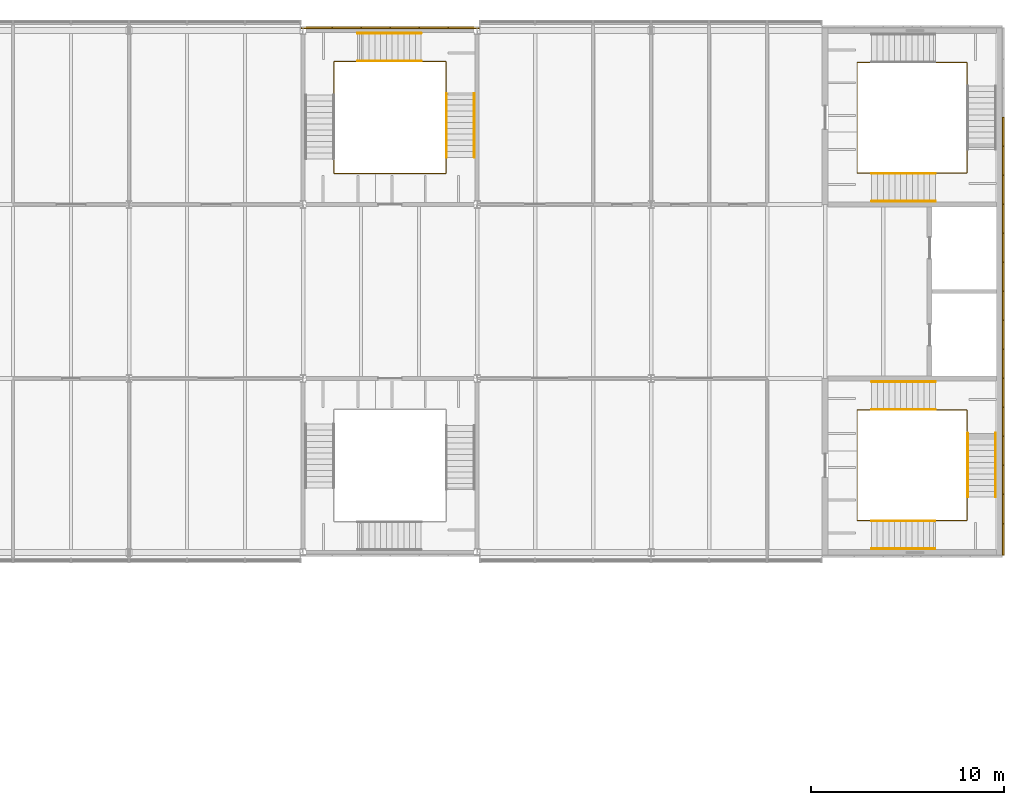
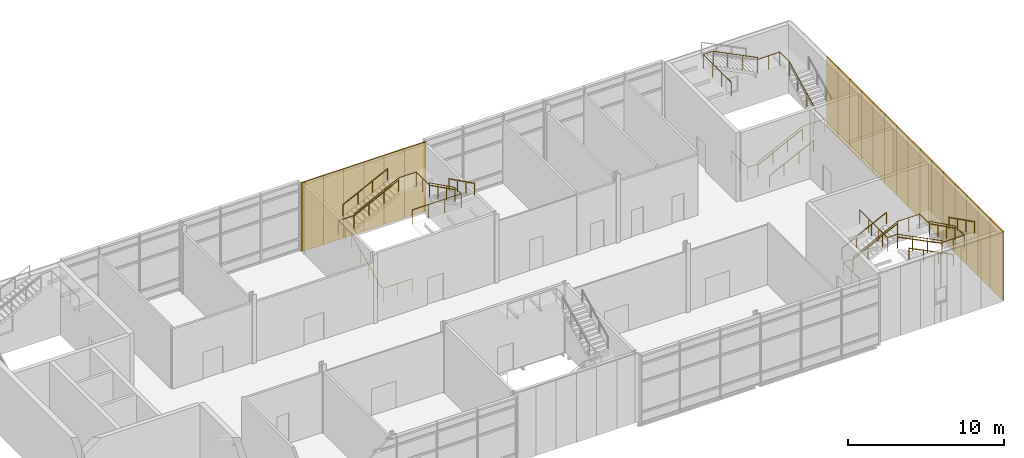
# One storey, part 55 of 56: 21 coverings, 15 railings.
"""IFC4 building model written with IfcOpenShell, lengths in metres."""

from ifc_helpers import new_model, si_unit, direction, frame, origin, origin_2d, place, context, subcontext, project, spatial, rectangle, circle, extrude, material, layer, layer_set, type_object, element, save


model = new_model("IFC4")

# Units and contexts
model_context = context("Model", 3, precision=1e-05, world=origin(), true_north=direction((0.0, 1.0)))
body_context = subcontext(model_context, "Body", "Model", "MODEL_VIEW")
ifc_project = project(units=[si_unit("LENGTHUNIT", "METRE"), si_unit("AREAUNIT", "SQUARE_METRE"), si_unit("VOLUMEUNIT", "CUBIC_METRE"), si_unit("PLANEANGLEUNIT", "RADIAN"), si_unit("MASSUNIT", "GRAM", prefix="KILO")], contexts=[model_context])

# Site, building, storey
site_placement = place(None, origin())
site = spatial("IfcSite", under=ifc_project, at=site_placement, CompositionType="ELEMENT")
building_placement = place(site_placement, origin())
building = spatial("IfcBuilding", under=site, at=building_placement, Name="Azimuth Sports and Learning Centre", CompositionType="ELEMENT")
storey_placement = place(building_placement, frame((0.0, 0.0, 5.39990234375)))
storey = spatial("IfcBuildingStorey", under=building, at=storey_placement, Name="L01", CompositionType="ELEMENT", Elevation=5.39990234375)

# Coverings
ifc_material_1 = material(Name="Cladding panel")
ifc_layer = layer(ifc_material_1, 0.10009765625)
ifc_layer_set = layer_set([ifc_layer], Name="Cladding panel")
covering_type = type_object("IfcCoveringType", Name="Cladding panel 100", PredefinedType="CLADDING", material=ifc_layer_set)
covering_1_placement = place(storey_placement, frame((171.199951171875, 90.675048828125, 0.000244140625), z_axis=(0.0, 0.0, 1.0), x_axis=(0.0, 1.0, 0.0)))
element("IfcCovering", 1, at=covering_1_placement, inside=storey, type_object=covering_type, Name="Cladding panel E-END E L01 1", PredefinedType="CLADDING", context=body_context, shape_type="SweptSolid", body=[
    extrude(rectangle(XDim=1.64990234375, YDim=0.10009765625, at=origin_2d()), origin(), (0.0, 0.0, 1.0), 5.39990234375),
])
for number, where, z_axis, x_axis, name in (
    (2, (171.199951171875, 92.25, 0.000244140625), (0.0, 0.0, 1.0), (0.0, 1.0, 0.0), "Cladding panel E-END E L01 2"),
    (3, (171.199951171875, 93.75, 0.000244140625), (0.0, 0.0, 1.0), (0.0, 1.0, 0.0), "Cladding panel E-END E L01 3"),
    (4, (171.199951171875, 95.25, 0.000244140625), (0.0, 0.0, 1.0), (0.0, 1.0, 0.0), "Cladding panel E-END E L01 4"),
    (5, (171.199951171875, 96.75, 0.000244140625), (0.0, 0.0, 1.0), (0.0, 1.0, 0.0), "Cladding panel E-END E L01 5"),
    (6, (171.199951171875, 98.25, 0.000244140625), (0.0, 0.0, 1.0), (0.0, 1.0, 0.0), "Cladding panel E-END E L01 6"),
    (7, (171.199951171875, 99.75, 0.000244140625), (0.0, 0.0, 1.0), (0.0, 1.0, 0.0), "Cladding panel E-END E L01 7"),
    (8, (171.199951171875, 101.25, 0.000244140625), (0.0, 0.0, 1.0), (0.0, 1.0, 0.0), "Cladding panel E-END E L01 8"),
    (9, (171.199951171875, 102.75, 0.000244140625), (0.0, 0.0, 1.0), (0.0, 1.0, 0.0), "Cladding panel E-END E L01 9"),
    (10, (171.199951171875, 104.25, 0.000244140625), (0.0, 0.0, 1.0), (0.0, 1.0, 0.0), "Cladding panel E-END E L01 10"),
    (11, (171.199951171875, 105.75, 0.000244140625), (0.0, 0.0, 1.0), (0.0, 1.0, 0.0), "Cladding panel E-END E L01 11"),
    (12, (171.199951171875, 107.25, 0.000244140625), (0.0, 0.0, 1.0), (0.0, 1.0, 0.0), "Cladding panel E-END E L01 12"),
    (13, (171.199951171875, 108.75, 0.000244140625), (0.0, 0.0, 1.0), (0.0, 1.0, 0.0), "Cladding panel E-END E L01 13"),
    (14, (171.199951171875, 110.25, 0.000244140625), (0.0, 0.0, 1.0), (0.0, 1.0, 0.0), "Cladding panel E-END E L01 14"),
    (15, (171.199951171875, 111.75, 0.000244140625), (0.0, 0.0, 1.0), (0.0, 1.0, 0.0), "Cladding panel E-END E L01 15"),
):
    element("IfcCovering", number, at=place(storey_placement, frame(where, z_axis=z_axis, x_axis=x_axis)), inside=storey, type_object=covering_type, Name=name, PredefinedType="CLADDING", context=body_context, shape_type="SweptSolid", body=[
        extrude(rectangle(XDim=1.5, YDim=0.10009765625, at=origin_2d()), origin(), (0.0, 0.0, 1.0), 5.39990234375),
    ])
covering_2_placement = place(storey_placement, frame((143.300048828125, 117.14990234375, 0.000244140625), z_axis=(0.0, 0.0, 1.0), x_axis=(-1.0, 0.0, 0.0)))
element("IfcCovering", 16, at=covering_2_placement, inside=storey, type_object=covering_type, Name="Cladding panel N-EM2 L01 1", PredefinedType="CLADDING", context=body_context, shape_type="SweptSolid", body=[
    extrude(rectangle(XDim=1.60009765625, YDim=0.10009765625, at=origin_2d()), origin(), (0.0, 0.0, 1.0), 5.39990234375),
])
for number, where, z_axis, x_axis, name in (
    (17, (141.75, 117.14990234375, 0.000244140625), (0.0, 0.0, 1.0), (-1.0, 0.0, 0.0), "Cladding panel N-EM2 L01 2"),
    (18, (140.25, 117.14990234375, 0.000244140625), (0.0, 0.0, 1.0), (-1.0, 0.0, 0.0), "Cladding panel N-EM2 L01 3"),
    (19, (138.75, 117.14990234375, 0.000244140625), (0.0, 0.0, 1.0), (-1.0, 0.0, 0.0), "Cladding panel N-EM2 L01 4"),
    (20, (137.25, 117.14990234375, 0.000244140625), (0.0, 0.0, 1.0), (-1.0, 0.0, 0.0), "Cladding panel N-EM2 L01 5"),
):
    element("IfcCovering", number, at=place(storey_placement, frame(where, z_axis=z_axis, x_axis=x_axis)), inside=storey, type_object=covering_type, Name=name, PredefinedType="CLADDING", context=body_context, shape_type="SweptSolid", body=[
        extrude(rectangle(XDim=1.5, YDim=0.10009765625, at=origin_2d()), origin(), (0.0, 0.0, 1.0), 5.39990234375),
    ])
covering_3_placement = place(storey_placement, frame((135.699951171875, 117.14990234375, 0.000244140625), z_axis=(0.0, 0.0, 1.0), x_axis=(-1.0, 0.0, 0.0)))
element("IfcCovering", 21, at=covering_3_placement, inside=storey, type_object=covering_type, Name="Cladding panel N-EM2 L01 6", PredefinedType="CLADDING", context=body_context, shape_type="SweptSolid", body=[
    extrude(rectangle(XDim=1.60009765625, YDim=0.10009765625, at=origin_2d()), origin(), (0.0, 0.0, 1.0), 5.39990234375),
])

# Railings
ifc_material_2 = material(Name="Stainless steel", Category="steel")
railing_type_1 = type_object("IfcRailingType", Name="Stair guard 1100", PredefinedType="GUARDRAIL", material=ifc_material_2)
railing_1_placement = place(storey_placement, frame((163.659912109375, 95.25, 0.0)))
element("IfcRailing", 22, at=railing_1_placement, inside=storey, type_object=railing_type_1, Name="Guard EW1 L01 well", PredefinedType="GUARDRAIL", context=body_context, shape_type="SweptSolid", body=[
    extrude(circle(Radius=0.02392578125, at=origin_2d()), frame((0.0, 0.0, 1.076171875), z_axis=(0.0, 1.0, 0.0), x_axis=(-1.0, 0.0, 0.0)), (0.0, 0.0, 1.0), 2.114990234375),
    extrude(circle(Radius=0.02392578125, at=origin_2d()), frame((0.0, 2.114990234375, 1.076171875), z_axis=(1.0, 0.0, 0.0), x_axis=(0.0, 1.0, 0.0)), (0.0, 0.0, 1.0), 0.75),
    extrude(circle(Radius=0.02392578125, at=origin_2d()), frame((0.75, 2.114990234375, 1.076171875), z_axis=(0.0, 0.0, 1.0), x_axis=(1.0, 0.0, 0.0)), (0.0, 0.0, 1.0), 0.150146484375),
    extrude(circle(Radius=0.02392578125, at=origin_2d()), frame((0.75, 2.114990234375, 1.22607421875), z_axis=(0.894440424912, 0.0, 0.447187126696), x_axis=(0.0, 1.0, 0.0)), (0.0, 0.0, 1.0), 3.689453125),
    extrude(circle(Radius=0.02392578125, at=origin_2d()), frame((4.050048828125, 2.114990234375, 2.8759765625), z_axis=(1.0, 0.0, 0.0), x_axis=(0.0, 1.0, 0.0)), (0.0, 0.0, 1.0), 1.630126953125),
    extrude(circle(Radius=0.02392578125, at=origin_2d()), frame((5.68017578125, 2.114990234375, 2.8759765625), z_axis=(0.0, -1.0, 0.0), x_axis=(1.0, 0.0, 0.0)), (0.0, 0.0, 1.0), 1.199951171875),
    extrude(circle(Radius=0.02392578125, at=origin_2d()), frame((5.68017578125, 0.9150390625, 2.8759765625), z_axis=(0.0, 0.0, 1.0), x_axis=(1.0, 0.0, 0.0)), (0.0, 0.0, 1.0), 0.150146484375),
    extrude(circle(Radius=0.02392578125, at=origin_2d()), frame((5.68017578125, 0.9150390625, 3.0263671875), z_axis=(0.0, -0.894440424912, 0.447187126696), x_axis=(1.0, 0.0, 0.0)), (0.0, 0.0, 1.0), 3.689453125),
    extrude(circle(Radius=0.02392578125, at=origin_2d()), frame((5.68017578125, -2.385009765625, 4.67626953125), z_axis=(0.0, -1.0, 0.0), x_axis=(1.0, 0.0, 0.0)), (0.0, 0.0, 1.0), 1.205078125),
    extrude(circle(Radius=0.02392578125, at=origin_2d()), frame((5.68017578125, -3.590087890625, 4.67626953125), z_axis=(-1.0, 0.0, 0.0), x_axis=(0.0, -1.0, 0.0)), (0.0, 0.0, 1.0), 1.650146484375),
    extrude(circle(Radius=0.02392578125, at=origin_2d()), frame((4.030029296875, -3.590087890625, 4.67626953125), z_axis=(0.0, 0.0, 1.0), x_axis=(1.0, 0.0, 0.0)), (0.0, 0.0, 1.0), 0.14990234375),
    extrude(circle(Radius=0.02392578125, at=origin_2d()), frame((4.030029296875, -3.590087890625, 4.826171875), z_axis=(-0.894413956696, 0.0, 0.447240063129), x_axis=(0.0, -1.0, 0.0)), (0.0, 0.0, 1.0), 3.689697265625),
    extrude(circle(Radius=0.02392578125, at=origin_2d()), frame((0.72998046875, -3.590087890625, 6.47607421875), z_axis=(-1.0, 0.0, 0.0), x_axis=(0.0, -1.0, 0.0)), (0.0, 0.0, 1.0), 0.72998046875),
    extrude(circle(Radius=0.02392578125, at=origin_2d()), frame((0.0, -3.590087890625, 6.47607421875), z_axis=(0.0, 1.0, 0.0), x_axis=(-1.0, 0.0, 0.0)), (0.0, 0.0, 1.0), 3.590087890625),
    extrude(circle(Radius=0.01611328125, at=origin_2d()), origin(), (0.0, 0.0, 1.0), 1.052001953125),
    extrude(circle(Radius=0.01611328125, at=origin_2d()), frame((0.0, 1.0576171875, 0.0)), (0.0, 0.0, 1.0), 1.052001953125),
    extrude(circle(Radius=0.01611328125, at=origin_2d()), frame((0.0, 2.114990234375, 0.0)), (0.0, 0.0, 1.0), 1.052001953125),
    extrude(circle(Radius=0.01611328125, at=origin_2d()), frame((0.75, 2.114990234375, 0.0)), (0.0, 0.0, 1.0), 1.052001953125),
    extrude(circle(Radius=0.01611328125, at=origin_2d()), frame((0.75, 2.114990234375, 0.150146484375)), (0.0, 0.0, 1.0), 1.052001953125),
    extrude(circle(Radius=0.01611328125, at=origin_2d()), frame((1.85009765625, 2.114990234375, 0.7001953125)), (0.0, 0.0, 1.0), 1.052001953125),
    extrude(circle(Radius=0.01611328125, at=origin_2d()), frame((2.949951171875, 2.114990234375, 1.25)), (0.0, 0.0, 1.0), 1.052001953125),
    extrude(circle(Radius=0.01611328125, at=origin_2d()), frame((4.050048828125, 2.114990234375, 1.800048828125)), (0.0, 0.0, 1.0), 1.052001953125),
    extrude(circle(Radius=0.01611328125, at=origin_2d()), frame((4.865234375, 2.114990234375, 1.800048828125)), (0.0, 0.0, 1.0), 1.052001953125),
    extrude(circle(Radius=0.01611328125, at=origin_2d()), frame((5.68017578125, 2.114990234375, 1.800048828125)), (0.0, 0.0, 1.0), 1.052001953125),
    extrude(circle(Radius=0.01611328125, at=origin_2d()), frame((5.68017578125, 0.9150390625, 1.800048828125)), (0.0, 0.0, 1.0), 1.052001953125),
    extrude(circle(Radius=0.01611328125, at=origin_2d()), frame((5.68017578125, 0.9150390625, 1.9501953125)), (0.0, 0.0, 1.0), 1.052001953125),
    extrude(circle(Radius=0.01611328125, at=origin_2d()), frame((5.68017578125, -0.18505859375, 2.500244140625)), (0.0, 0.0, 1.0), 1.052001953125),
    extrude(circle(Radius=0.01611328125, at=origin_2d()), frame((5.68017578125, -1.284912109375, 3.050048828125)), (0.0, 0.0, 1.0), 1.052001953125),
    extrude(circle(Radius=0.01611328125, at=origin_2d()), frame((5.68017578125, -2.385009765625, 3.60009765625)), (0.0, 0.0, 1.0), 1.052001953125),
    extrude(circle(Radius=0.01611328125, at=origin_2d()), frame((5.68017578125, -3.590087890625, 3.60009765625)), (0.0, 0.0, 1.0), 1.052001953125),
    extrude(circle(Radius=0.01611328125, at=origin_2d()), frame((4.85498046875, -3.590087890625, 3.60009765625)), (0.0, 0.0, 1.0), 1.052001953125),
    extrude(circle(Radius=0.01611328125, at=origin_2d()), frame((4.030029296875, -3.590087890625, 3.60009765625)), (0.0, 0.0, 1.0), 1.052001953125),
    extrude(circle(Radius=0.01611328125, at=origin_2d()), frame((4.030029296875, -3.590087890625, 3.75)), (0.0, 0.0, 1.0), 1.052001953125),
    extrude(circle(Radius=0.01611328125, at=origin_2d()), frame((2.929931640625, -3.590087890625, 4.300048828125)), (0.0, 0.0, 1.0), 1.052001953125),
    extrude(circle(Radius=0.01611328125, at=origin_2d()), frame((1.830078125, -3.590087890625, 4.85009765625)), (0.0, 0.0, 1.0), 1.052001953125),
    extrude(circle(Radius=0.01611328125, at=origin_2d()), frame((0.72998046875, -3.590087890625, 5.400146484375)), (0.0, 0.0, 1.0), 1.052001953125),
    extrude(circle(Radius=0.01611328125, at=origin_2d()), frame((0.0, -3.590087890625, 5.400146484375)), (0.0, 0.0, 1.0), 1.052001953125),
    extrude(circle(Radius=0.01611328125, at=origin_2d()), frame((0.0, -2.393310546875, 5.400146484375)), (0.0, 0.0, 1.0), 1.052001953125),
    extrude(circle(Radius=0.01611328125, at=origin_2d()), frame((0.0, -1.19677734375, 5.400146484375)), (0.0, 0.0, 1.0), 1.052001953125),
    extrude(circle(Radius=0.01611328125, at=origin_2d()), frame((0.0, 0.0, 5.400146484375)), (0.0, 0.0, 1.0), 1.052001953125),
])
railing_2_placement = place(storey_placement, frame((163.659912109375, 111.75, 0.0)))
element("IfcRailing", 23, at=railing_2_placement, inside=storey, type_object=railing_type_1, Name="Guard EW2 L01 well", PredefinedType="GUARDRAIL", context=body_context, shape_type="SweptSolid", body=[
    extrude(circle(Radius=0.02392578125, at=origin_2d()), frame((0.0, 0.0, 1.076171875), z_axis=(0.0, -1.0, 0.0), x_axis=(1.0, 0.0, 0.0)), (0.0, 0.0, 1.0), 2.114990234375),
    extrude(circle(Radius=0.02392578125, at=origin_2d()), frame((0.0, -2.114990234375, 1.076171875), z_axis=(1.0, 0.0, 0.0), x_axis=(0.0, 1.0, 0.0)), (0.0, 0.0, 1.0), 0.75),
    extrude(circle(Radius=0.02392578125, at=origin_2d()), frame((0.75, -2.114990234375, 1.076171875), z_axis=(0.0, 0.0, 1.0), x_axis=(1.0, 0.0, 0.0)), (0.0, 0.0, 1.0), 0.150146484375),
    extrude(circle(Radius=0.02392578125, at=origin_2d()), frame((0.75, -2.114990234375, 1.22607421875), z_axis=(0.894440424912, 0.0, 0.447187126696), x_axis=(0.0, 1.0, 0.0)), (0.0, 0.0, 1.0), 3.689453125),
    extrude(circle(Radius=0.02392578125, at=origin_2d()), frame((4.050048828125, -2.114990234375, 2.8759765625), z_axis=(1.0, 0.0, 0.0), x_axis=(0.0, 1.0, 0.0)), (0.0, 0.0, 1.0), 1.630126953125),
    extrude(circle(Radius=0.02392578125, at=origin_2d()), frame((5.68017578125, -2.114990234375, 2.8759765625), z_axis=(0.0, 1.0, 0.0), x_axis=(-1.0, 0.0, 0.0)), (0.0, 0.0, 1.0), 1.199951171875),
    extrude(circle(Radius=0.02392578125, at=origin_2d()), frame((5.68017578125, -0.9150390625, 2.8759765625), z_axis=(0.0, 0.0, 1.0), x_axis=(1.0, 0.0, 0.0)), (0.0, 0.0, 1.0), 0.150146484375),
    extrude(circle(Radius=0.02392578125, at=origin_2d()), frame((5.68017578125, -0.9150390625, 3.0263671875), z_axis=(0.0, 0.894440424912, 0.447187126696), x_axis=(-1.0, 0.0, 0.0)), (0.0, 0.0, 1.0), 3.689453125),
    extrude(circle(Radius=0.02392578125, at=origin_2d()), frame((5.68017578125, 2.385009765625, 4.67626953125), z_axis=(0.0, 1.0, 0.0), x_axis=(-1.0, 0.0, 0.0)), (0.0, 0.0, 1.0), 1.205078125),
    extrude(circle(Radius=0.02392578125, at=origin_2d()), frame((5.68017578125, 3.590087890625, 4.67626953125), z_axis=(-1.0, 0.0, 0.0), x_axis=(0.0, -1.0, 0.0)), (0.0, 0.0, 1.0), 1.650146484375),
    extrude(circle(Radius=0.02392578125, at=origin_2d()), frame((4.030029296875, 3.590087890625, 4.67626953125), z_axis=(0.0, 0.0, 1.0), x_axis=(1.0, 0.0, 0.0)), (0.0, 0.0, 1.0), 0.14990234375),
    extrude(circle(Radius=0.02392578125, at=origin_2d()), frame((4.030029296875, 3.590087890625, 4.826171875), z_axis=(-0.894413956696, 0.0, 0.447240063129), x_axis=(0.0, -1.0, 0.0)), (0.0, 0.0, 1.0), 3.689697265625),
    extrude(circle(Radius=0.02392578125, at=origin_2d()), frame((0.72998046875, 3.590087890625, 6.47607421875), z_axis=(-1.0, 0.0, 0.0), x_axis=(0.0, -1.0, 0.0)), (0.0, 0.0, 1.0), 0.72998046875),
    extrude(circle(Radius=0.02392578125, at=origin_2d()), frame((0.0, 3.590087890625, 6.47607421875), z_axis=(0.0, -1.0, 0.0), x_axis=(1.0, 0.0, 0.0)), (0.0, 0.0, 1.0), 3.590087890625),
    extrude(circle(Radius=0.01611328125, at=origin_2d()), origin(), (0.0, 0.0, 1.0), 1.052001953125),
    extrude(circle(Radius=0.01611328125, at=origin_2d()), frame((0.0, -1.0576171875, 0.0)), (0.0, 0.0, 1.0), 1.052001953125),
    extrude(circle(Radius=0.01611328125, at=origin_2d()), frame((0.0, -2.114990234375, 0.0)), (0.0, 0.0, 1.0), 1.052001953125),
    extrude(circle(Radius=0.01611328125, at=origin_2d()), frame((0.75, -2.114990234375, 0.0)), (0.0, 0.0, 1.0), 1.052001953125),
    extrude(circle(Radius=0.01611328125, at=origin_2d()), frame((0.75, -2.114990234375, 0.150146484375)), (0.0, 0.0, 1.0), 1.052001953125),
    extrude(circle(Radius=0.01611328125, at=origin_2d()), frame((1.85009765625, -2.114990234375, 0.7001953125)), (0.0, 0.0, 1.0), 1.052001953125),
    extrude(circle(Radius=0.01611328125, at=origin_2d()), frame((2.949951171875, -2.114990234375, 1.25)), (0.0, 0.0, 1.0), 1.052001953125),
    extrude(circle(Radius=0.01611328125, at=origin_2d()), frame((4.050048828125, -2.114990234375, 1.800048828125)), (0.0, 0.0, 1.0), 1.052001953125),
    extrude(circle(Radius=0.01611328125, at=origin_2d()), frame((4.865234375, -2.114990234375, 1.800048828125)), (0.0, 0.0, 1.0), 1.052001953125),
    extrude(circle(Radius=0.01611328125, at=origin_2d()), frame((5.68017578125, -2.114990234375, 1.800048828125)), (0.0, 0.0, 1.0), 1.052001953125),
    extrude(circle(Radius=0.01611328125, at=origin_2d()), frame((5.68017578125, -0.9150390625, 1.800048828125)), (0.0, 0.0, 1.0), 1.052001953125),
    extrude(circle(Radius=0.01611328125, at=origin_2d()), frame((5.68017578125, -0.9150390625, 1.9501953125)), (0.0, 0.0, 1.0), 1.052001953125),
    extrude(circle(Radius=0.01611328125, at=origin_2d()), frame((5.68017578125, 0.18505859375, 2.500244140625)), (0.0, 0.0, 1.0), 1.052001953125),
    extrude(circle(Radius=0.01611328125, at=origin_2d()), frame((5.68017578125, 1.284912109375, 3.050048828125)), (0.0, 0.0, 1.0), 1.052001953125),
    extrude(circle(Radius=0.01611328125, at=origin_2d()), frame((5.68017578125, 2.385009765625, 3.60009765625)), (0.0, 0.0, 1.0), 1.052001953125),
    extrude(circle(Radius=0.01611328125, at=origin_2d()), frame((5.68017578125, 3.590087890625, 3.60009765625)), (0.0, 0.0, 1.0), 1.052001953125),
    extrude(circle(Radius=0.01611328125, at=origin_2d()), frame((4.85498046875, 3.590087890625, 3.60009765625)), (0.0, 0.0, 1.0), 1.052001953125),
    extrude(circle(Radius=0.01611328125, at=origin_2d()), frame((4.030029296875, 3.590087890625, 3.60009765625)), (0.0, 0.0, 1.0), 1.052001953125),
    extrude(circle(Radius=0.01611328125, at=origin_2d()), frame((4.030029296875, 3.590087890625, 3.75)), (0.0, 0.0, 1.0), 1.052001953125),
    extrude(circle(Radius=0.01611328125, at=origin_2d()), frame((2.929931640625, 3.590087890625, 4.300048828125)), (0.0, 0.0, 1.0), 1.052001953125),
    extrude(circle(Radius=0.01611328125, at=origin_2d()), frame((1.830078125, 3.590087890625, 4.85009765625)), (0.0, 0.0, 1.0), 1.052001953125),
    extrude(circle(Radius=0.01611328125, at=origin_2d()), frame((0.72998046875, 3.590087890625, 5.400146484375)), (0.0, 0.0, 1.0), 1.052001953125),
    extrude(circle(Radius=0.01611328125, at=origin_2d()), frame((0.0, 3.590087890625, 5.400146484375)), (0.0, 0.0, 1.0), 1.052001953125),
    extrude(circle(Radius=0.01611328125, at=origin_2d()), frame((0.0, 2.393310546875, 5.400146484375)), (0.0, 0.0, 1.0), 1.052001953125),
    extrude(circle(Radius=0.01611328125, at=origin_2d()), frame((0.0, 1.19677734375, 5.400146484375)), (0.0, 0.0, 1.0), 1.052001953125),
    extrude(circle(Radius=0.01611328125, at=origin_2d()), frame((0.0, 0.0, 5.400146484375)), (0.0, 0.0, 1.0), 1.052001953125),
])
railing_3_placement = place(storey_placement, frame((138.75, 109.610107421875, 0.0)))
element("IfcRailing", 24, at=railing_3_placement, inside=storey, type_object=railing_type_1, Name="Guard EM2 L01 well", PredefinedType="GUARDRAIL", context=body_context, shape_type="SweptSolid", body=[
    extrude(circle(Radius=0.02392578125, at=origin_2d()), frame((0.0, 0.0, 1.076171875), z_axis=(-1.0, 0.0, 0.0), x_axis=(0.0, -1.0, 0.0)), (0.0, 0.0, 1.0), 2.139892578125),
    extrude(circle(Radius=0.02392578125, at=origin_2d()), frame((-2.139892578125, 0.0, 1.076171875), z_axis=(0.0, 1.0, 0.0), x_axis=(-1.0, 0.0, 0.0)), (0.0, 0.0, 1.0), 0.75),
    extrude(circle(Radius=0.02392578125, at=origin_2d()), frame((-2.139892578125, 0.75, 1.076171875), z_axis=(0.0, 0.0, 1.0), x_axis=(1.0, 0.0, 0.0)), (0.0, 0.0, 1.0), 0.150146484375),
    extrude(circle(Radius=0.02392578125, at=origin_2d()), frame((-2.139892578125, 0.75, 1.22607421875), z_axis=(0.0, 0.894427191, 0.4472135955), x_axis=(-1.0, 0.0, 0.0)), (0.0, 0.0, 1.0), 3.689208984375),
    extrude(circle(Radius=0.02392578125, at=origin_2d()), frame((-2.139892578125, 4.0498046875, 2.8759765625), z_axis=(0.0, 1.0, 0.0), x_axis=(-1.0, 0.0, 0.0)), (0.0, 0.0, 1.0), 1.72998046875),
    extrude(circle(Radius=0.02392578125, at=origin_2d()), frame((-2.139892578125, 5.77978515625, 2.8759765625), z_axis=(1.0, 0.0, 0.0), x_axis=(0.0, 1.0, 0.0)), (0.0, 0.0, 1.0), 1.199951171875),
    extrude(circle(Radius=0.02392578125, at=origin_2d()), frame((-0.93994140625, 5.77978515625, 2.8759765625), z_axis=(0.0, 0.0, 1.0), x_axis=(1.0, 0.0, 0.0)), (0.0, 0.0, 1.0), 0.150146484375),
    extrude(circle(Radius=0.02392578125, at=origin_2d()), frame((-0.93994140625, 5.77978515625, 3.0263671875), z_axis=(0.894440424912, 0.0, 0.447187126696), x_axis=(0.0, 1.0, 0.0)), (0.0, 0.0, 1.0), 3.689453125),
    extrude(circle(Radius=0.02392578125, at=origin_2d()), frame((2.360107421875, 5.77978515625, 4.67626953125), z_axis=(1.0, 0.0, 0.0), x_axis=(0.0, 1.0, 0.0)), (0.0, 0.0, 1.0), 1.27978515625),
    extrude(circle(Radius=0.02392578125, at=origin_2d()), frame((3.639892578125, 5.77978515625, 4.67626953125), z_axis=(0.0, -1.0, 0.0), x_axis=(1.0, 0.0, 0.0)), (0.0, 0.0, 1.0), 1.64990234375),
    extrude(circle(Radius=0.02392578125, at=origin_2d()), frame((3.639892578125, 4.1298828125, 4.67626953125), z_axis=(0.0, 0.0, 1.0), x_axis=(1.0, 0.0, 0.0)), (0.0, 0.0, 1.0), 0.14990234375),
    extrude(circle(Radius=0.02392578125, at=origin_2d()), frame((3.639892578125, 4.1298828125, 4.826171875), z_axis=(0.0, -0.894413956696, 0.447240063129), x_axis=(1.0, 0.0, 0.0)), (0.0, 0.0, 1.0), 3.689697265625),
    extrude(circle(Radius=0.02392578125, at=origin_2d()), frame((3.639892578125, 0.829833984375, 6.47607421875), z_axis=(0.0, -1.0, 0.0), x_axis=(1.0, 0.0, 0.0)), (0.0, 0.0, 1.0), 0.829833984375),
    extrude(circle(Radius=0.02392578125, at=origin_2d()), frame((3.639892578125, 0.0, 6.47607421875), z_axis=(-1.0, 0.0, 0.0), x_axis=(0.0, -1.0, 0.0)), (0.0, 0.0, 1.0), 3.639892578125),
    extrude(circle(Radius=0.01611328125, at=origin_2d()), origin(), (0.0, 0.0, 1.0), 1.052001953125),
    extrude(circle(Radius=0.01611328125, at=origin_2d()), frame((-1.06982421875, 0.0, 0.0)), (0.0, 0.0, 1.0), 1.052001953125),
    extrude(circle(Radius=0.01611328125, at=origin_2d()), frame((-2.139892578125, 0.0, 0.0)), (0.0, 0.0, 1.0), 1.052001953125),
    extrude(circle(Radius=0.01611328125, at=origin_2d()), frame((-2.139892578125, 0.75, 0.0)), (0.0, 0.0, 1.0), 1.052001953125),
    extrude(circle(Radius=0.01611328125, at=origin_2d()), frame((-2.139892578125, 0.75, 0.150146484375)), (0.0, 0.0, 1.0), 1.052001953125),
    extrude(circle(Radius=0.01611328125, at=origin_2d()), frame((-2.139892578125, 1.849853515625, 0.7001953125)), (0.0, 0.0, 1.0), 1.052001953125),
    extrude(circle(Radius=0.01611328125, at=origin_2d()), frame((-2.139892578125, 2.949951171875, 1.25)), (0.0, 0.0, 1.0), 1.052001953125),
    extrude(circle(Radius=0.01611328125, at=origin_2d()), frame((-2.139892578125, 4.0498046875, 1.800048828125)), (0.0, 0.0, 1.0), 1.052001953125),
    extrude(circle(Radius=0.01611328125, at=origin_2d()), frame((-2.139892578125, 4.914794921875, 1.800048828125)), (0.0, 0.0, 1.0), 1.052001953125),
    extrude(circle(Radius=0.01611328125, at=origin_2d()), frame((-2.139892578125, 5.77978515625, 1.800048828125)), (0.0, 0.0, 1.0), 1.052001953125),
    extrude(circle(Radius=0.01611328125, at=origin_2d()), frame((-0.93994140625, 5.77978515625, 1.800048828125)), (0.0, 0.0, 1.0), 1.052001953125),
    extrude(circle(Radius=0.01611328125, at=origin_2d()), frame((-0.93994140625, 5.77978515625, 1.9501953125)), (0.0, 0.0, 1.0), 1.052001953125),
    extrude(circle(Radius=0.01611328125, at=origin_2d()), frame((0.16015625, 5.77978515625, 2.500244140625)), (0.0, 0.0, 1.0), 1.052001953125),
    extrude(circle(Radius=0.01611328125, at=origin_2d()), frame((1.260009765625, 5.77978515625, 3.050048828125)), (0.0, 0.0, 1.0), 1.052001953125),
    extrude(circle(Radius=0.01611328125, at=origin_2d()), frame((2.360107421875, 5.77978515625, 3.60009765625)), (0.0, 0.0, 1.0), 1.052001953125),
    extrude(circle(Radius=0.01611328125, at=origin_2d()), frame((3.639892578125, 5.77978515625, 3.60009765625)), (0.0, 0.0, 1.0), 1.052001953125),
    extrude(circle(Radius=0.01611328125, at=origin_2d()), frame((3.639892578125, 4.954833984375, 3.60009765625)), (0.0, 0.0, 1.0), 1.052001953125),
    extrude(circle(Radius=0.01611328125, at=origin_2d()), frame((3.639892578125, 4.1298828125, 3.60009765625)), (0.0, 0.0, 1.0), 1.052001953125),
    extrude(circle(Radius=0.01611328125, at=origin_2d()), frame((3.639892578125, 4.1298828125, 3.75)), (0.0, 0.0, 1.0), 1.052001953125),
    extrude(circle(Radius=0.01611328125, at=origin_2d()), frame((3.639892578125, 3.02978515625, 4.300048828125)), (0.0, 0.0, 1.0), 1.052001953125),
    extrude(circle(Radius=0.01611328125, at=origin_2d()), frame((3.639892578125, 1.929931640625, 4.85009765625)), (0.0, 0.0, 1.0), 1.052001953125),
    extrude(circle(Radius=0.01611328125, at=origin_2d()), frame((3.639892578125, 0.829833984375, 5.400146484375)), (0.0, 0.0, 1.0), 1.052001953125),
    extrude(circle(Radius=0.01611328125, at=origin_2d()), frame((3.639892578125, 0.0, 5.400146484375)), (0.0, 0.0, 1.0), 1.052001953125),
    extrude(circle(Radius=0.01611328125, at=origin_2d()), frame((2.426513671875, 0.0, 5.400146484375)), (0.0, 0.0, 1.0), 1.052001953125),
    extrude(circle(Radius=0.01611328125, at=origin_2d()), frame((1.21337890625, 0.0, 5.400146484375)), (0.0, 0.0, 1.0), 1.052001953125),
    extrude(circle(Radius=0.01611328125, at=origin_2d()), frame((0.0, 0.0, 5.400146484375)), (0.0, 0.0, 1.0), 1.052001953125),
])
ifc_material_3 = material(Name="Stainless steel", Category="steel")
railing_type_2 = type_object("IfcRailingType", Name="Stair handrail 42", PredefinedType="HANDRAIL", material=ifc_material_3)
for number, where, name in (
    (25, (164.409912109375, 97.39501953125, 0.150146484375), "Handrail EW1 L01 flight 1 inner"),
    (26, (164.409912109375, 98.8349609375, 0.150146484375), "Handrail EW1 L01 flight 1 outer"),
):
    element("IfcRailing", number, at=place(storey_placement, frame(where)), inside=storey, type_object=railing_type_2, Name=name, PredefinedType="HANDRAIL", context=body_context, shape_type="SweptSolid", body=[
        extrude(circle(Radius=0.02099609375, at=origin_2d()), frame((0.0, 0.0, 0.87890625), z_axis=(0.894440424912, 0.0, 0.447187126696), x_axis=(0.0, 1.0, 0.0)), (0.0, 0.0, 1.0), 3.689453125),
        extrude(circle(Radius=0.01611328125, at=origin_2d()), origin(), (0.0, 0.0, 1.0), 0.85791015625),
        extrude(circle(Radius=0.01611328125, at=origin_2d()), frame((1.10009765625, 0.0, 0.550048828125)), (0.0, 0.0, 1.0), 0.85791015625),
        extrude(circle(Radius=0.01611328125, at=origin_2d()), frame((2.199951171875, 0.0, 1.099853515625)), (0.0, 0.0, 1.0), 0.85791015625),
        extrude(circle(Radius=0.01611328125, at=origin_2d()), frame((3.300048828125, 0.0, 1.64990234375)), (0.0, 0.0, 1.0), 0.85791015625),
    ])
for number, where, name in (
    (27, (169.3701171875, 96.1650390625, 1.9501953125), "Handrail EW1 L01 flight 2 inner"),
    (28, (170.81005859375, 96.1650390625, 1.9501953125), "Handrail EW1 L01 flight 2 outer"),
):
    element("IfcRailing", number, at=place(storey_placement, frame(where)), inside=storey, type_object=railing_type_2, Name=name, PredefinedType="HANDRAIL", context=body_context, shape_type="SweptSolid", body=[
        extrude(circle(Radius=0.02099609375, at=origin_2d()), frame((0.0, 0.0, 0.87890625), z_axis=(0.0, -0.894440424912, 0.447187126696), x_axis=(1.0, 0.0, 0.0)), (0.0, 0.0, 1.0), 3.689453125),
        extrude(circle(Radius=0.01611328125, at=origin_2d()), origin(), (0.0, 0.0, 1.0), 0.85791015625),
        extrude(circle(Radius=0.01611328125, at=origin_2d()), frame((0.0, -1.10009765625, 0.550048828125)), (0.0, 0.0, 1.0), 0.85791015625),
        extrude(circle(Radius=0.01611328125, at=origin_2d()), frame((0.0, -2.199951171875, 1.099853515625)), (0.0, 0.0, 1.0), 0.85791015625),
        extrude(circle(Radius=0.01611328125, at=origin_2d()), frame((0.0, -3.300048828125, 1.64990234375)), (0.0, 0.0, 1.0), 0.85791015625),
    ])
for number, where, name in (
    (29, (167.68994140625, 91.6298828125, 3.75), "Handrail EW1 L01 flight 3 inner"),
    (30, (167.68994140625, 90.18994140625, 3.75), "Handrail EW1 L01 flight 3 outer"),
):
    element("IfcRailing", number, at=place(storey_placement, frame(where)), inside=storey, type_object=railing_type_2, Name=name, PredefinedType="HANDRAIL", context=body_context, shape_type="SweptSolid", body=[
        extrude(circle(Radius=0.02099609375, at=origin_2d()), frame((0.0, 0.0, 0.87890625), z_axis=(-0.894413956696, 0.0, 0.447240063129), x_axis=(0.0, -1.0, 0.0)), (0.0, 0.0, 1.0), 3.689697265625),
        extrude(circle(Radius=0.01611328125, at=origin_2d()), origin(), (0.0, 0.0, 1.0), 0.85791015625),
        extrude(circle(Radius=0.01611328125, at=origin_2d()), frame((-1.10009765625, 0.0, 0.550048828125)), (0.0, 0.0, 1.0), 0.85791015625),
        extrude(circle(Radius=0.01611328125, at=origin_2d()), frame((-2.199951171875, 0.0, 1.10009765625)), (0.0, 0.0, 1.0), 0.85791015625),
        extrude(circle(Radius=0.01611328125, at=origin_2d()), frame((-3.300048828125, 0.0, 1.650146484375)), (0.0, 0.0, 1.0), 0.85791015625),
    ])
for number, where, name in (
    (31, (164.409912109375, 109.60498046875, 0.150146484375), "Handrail EW2 L01 flight 1 inner"),
    (32, (164.409912109375, 108.1650390625, 0.150146484375), "Handrail EW2 L01 flight 1 outer"),
    (33, (137.81005859375, 115.419921875, 1.9501953125), "Handrail EM2 L01 flight 2 inner"),
    (34, (137.81005859375, 116.860107421875, 1.9501953125), "Handrail EM2 L01 flight 2 outer"),
):
    element("IfcRailing", number, at=place(storey_placement, frame(where)), inside=storey, type_object=railing_type_2, Name=name, PredefinedType="HANDRAIL", context=body_context, shape_type="SweptSolid", body=[
        extrude(circle(Radius=0.02099609375, at=origin_2d()), frame((0.0, 0.0, 0.87890625), z_axis=(0.894440424912, 0.0, 0.447187126696), x_axis=(0.0, 1.0, 0.0)), (0.0, 0.0, 1.0), 3.689453125),
        extrude(circle(Radius=0.01611328125, at=origin_2d()), origin(), (0.0, 0.0, 1.0), 0.85791015625),
        extrude(circle(Radius=0.01611328125, at=origin_2d()), frame((1.10009765625, 0.0, 0.550048828125)), (0.0, 0.0, 1.0), 0.85791015625),
        extrude(circle(Radius=0.01611328125, at=origin_2d()), frame((2.199951171875, 0.0, 1.099853515625)), (0.0, 0.0, 1.0), 0.85791015625),
        extrude(circle(Radius=0.01611328125, at=origin_2d()), frame((3.300048828125, 0.0, 1.64990234375)), (0.0, 0.0, 1.0), 0.85791015625),
    ])
for number, where, name in (
    (35, (142.419921875, 113.739990234375, 3.75), "Handrail EM2 L01 flight 3 inner"),
    (36, (143.860107421875, 113.739990234375, 3.75), "Handrail EM2 L01 flight 3 outer"),
):
    element("IfcRailing", number, at=place(storey_placement, frame(where)), inside=storey, type_object=railing_type_2, Name=name, PredefinedType="HANDRAIL", context=body_context, shape_type="SweptSolid", body=[
        extrude(circle(Radius=0.02099609375, at=origin_2d()), frame((0.0, 0.0, 0.87890625), z_axis=(0.0, -0.894413956696, 0.447240063129), x_axis=(1.0, 0.0, 0.0)), (0.0, 0.0, 1.0), 3.689697265625),
        extrude(circle(Radius=0.01611328125, at=origin_2d()), origin(), (0.0, 0.0, 1.0), 0.85791015625),
        extrude(circle(Radius=0.01611328125, at=origin_2d()), frame((0.0, -1.10009765625, 0.550048828125)), (0.0, 0.0, 1.0), 0.85791015625),
        extrude(circle(Radius=0.01611328125, at=origin_2d()), frame((0.0, -2.199951171875, 1.10009765625)), (0.0, 0.0, 1.0), 0.85791015625),
        extrude(circle(Radius=0.01611328125, at=origin_2d()), frame((0.0, -3.300048828125, 1.650146484375)), (0.0, 0.0, 1.0), 0.85791015625),
    ])

save(model, "model.ifc")
